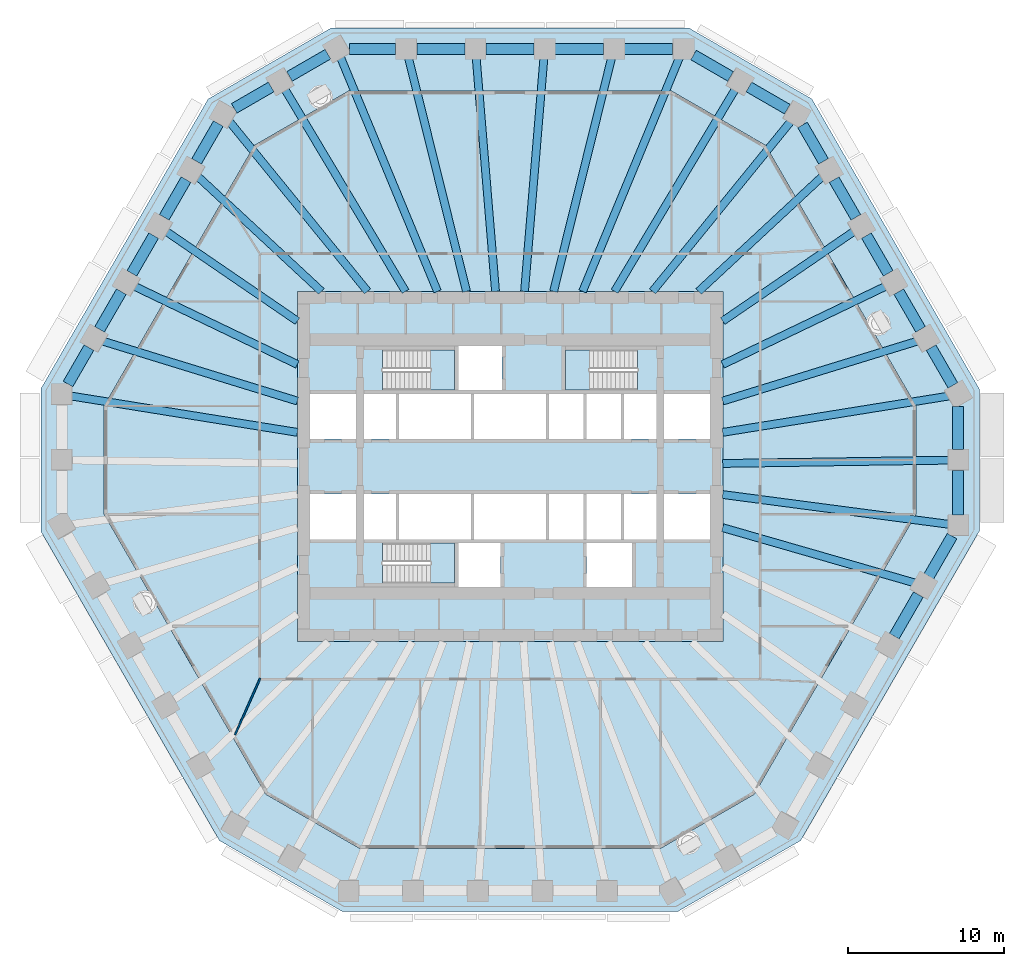
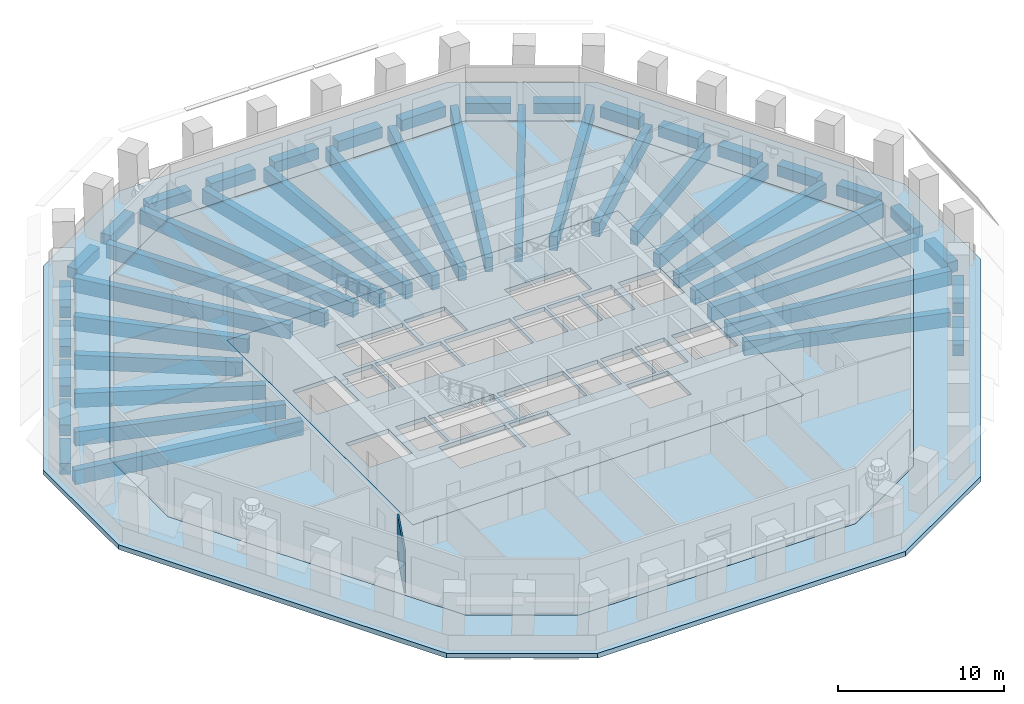
# One storey, part 2 of 13: 46 beams, 6 slabs, 1 wall, 3 elements without a shape of their own.
"""IFC4 building model written with IfcOpenShell, lengths in metres."""

from ifc_helpers import new_model, si_unit, direction, frame, frame_2d, origin, origin_2d, place, context, subcontext, project, spatial, polyline, rectangle, outline, extrude, material, layer, layer_set, material_profile, profile_set, type_object, element, aggregate, save


model = new_model("IFC4")

# Units and contexts
model_context = context("Model", 3, precision=1e-05, world=origin(), true_north=direction((0.0, 1.0)))
body_context = subcontext(model_context, "Body", "Model", "MODEL_VIEW")
ifc_project = project(units=[si_unit("LENGTHUNIT", "METRE"), si_unit("AREAUNIT", "SQUARE_METRE"), si_unit("VOLUMEUNIT", "CUBIC_METRE"), si_unit("PLANEANGLEUNIT", "RADIAN"), si_unit("MASSUNIT", "GRAM", prefix="KILO")], contexts=[model_context])

# Site, building, storey
site_placement = place(None, origin())
site = spatial("IfcSite", under=ifc_project, at=site_placement, CompositionType="ELEMENT")
building_placement = place(site_placement, origin())
building = spatial("IfcBuilding", under=site, at=building_placement, Name="Frailejon Research Tower", CompositionType="ELEMENT")
storey_placement = place(building_placement, frame((0.0, 0.0, 94.0)))
storey = spatial("IfcBuildingStorey", under=building, at=storey_placement, Name="L20", CompositionType="ELEMENT", Elevation=94.0)

# Beams
ifc_material_1 = material(Name="Concrete C60/75", Category="concrete")
ifc_material_profile_1 = material_profile(ifc_material_1, rectangle(XDim=0.5, YDim=1.050048828125, at=origin_2d()), Name="Girder 500x1050")
ifc_profile_set_1 = profile_set([ifc_material_profile_1], Name="Concrete C60/75")
beam_type_1 = type_object("IfcBeamType", Name="Girder 500x1050", PredefinedType="BEAM", material=ifc_profile_set_1)
beam_1_placement = place(storey_placement, frame((28.1259765625, -3.703369140625, -0.824951171875), z_axis=(-0.991442834878, 0.130541584061, 0.0), x_axis=(-0.130541584061, -0.991442834878, 0.0)))
element("IfcBeam", 1, at=beam_1_placement, inside=storey, type_object=beam_type_1, Name="Girder 500x1050", PredefinedType="BEAM", context=body_context, shape_type="SweptSolid", body=[
    extrude(rectangle(XDim=0.5, YDim=1.050048828125, at=origin_2d()), origin(), (0.0, 0.0, 1.0), 14.6513671875),
])
beam_2_placement = place(storey_placement, frame((28.127197265625, 0.4072265625, -0.824951171875), z_axis=(-0.999895328032, -0.014468344074, 0.0), x_axis=(0.014468344074, -0.999895328032, 0.0)))
element("IfcBeam", 2, at=beam_2_placement, inside=storey, type_object=beam_type_1, Name="Girder 500x1050", PredefinedType="BEAM", context=body_context, shape_type="SweptSolid", body=[
    extrude(rectangle(XDim=0.5, YDim=1.050048828125, at=origin_2d()), origin(), (0.0, 0.0, 1.0), 14.528564453125),
])
beam_3_placement = place(storey_placement, frame((28.087158203125, 4.51171875, -0.824951171875), z_axis=(-0.987342424858, -0.158603077129, 0.0), x_axis=(0.158603077129, -0.987342424858, 0.0)))
element("IfcBeam", 3, at=beam_3_placement, inside=storey, type_object=beam_type_1, Name="Girder 500x1050", PredefinedType="BEAM", context=body_context, shape_type="SweptSolid", body=[
    extrude(rectangle(XDim=0.5, YDim=1.050048828125, at=origin_2d()), origin(), (0.0, 0.0, 1.0), 14.6728515625),
])
beam_4_placement = place(storey_placement, frame((26.06591796875, 8.02490234375, -0.824951171875), z_axis=(-0.955730430609, -0.294243681339, 0.0), x_axis=(0.294243681339, -0.955730430609, 0.0)))
element("IfcBeam", 4, at=beam_4_placement, inside=storey, type_object=beam_type_1, Name="Girder 500x1050", PredefinedType="BEAM", context=body_context, shape_type="SweptSolid", body=[
    extrude(rectangle(XDim=0.5, YDim=1.050048828125, at=origin_2d()), origin(), (0.0, 0.0, 1.0), 13.043212890625),
])
beam_5_placement = place(storey_placement, frame((24.041015625, 11.538330078125, -0.824951171875), z_axis=(-0.901536873223, -0.432702283585, 0.0), x_axis=(0.432702283585, -0.901536873223, 0.0)))
element("IfcBeam", 5, at=beam_5_placement, inside=storey, type_object=beam_type_1, Name="Girder 500x1050", PredefinedType="BEAM", context=body_context, shape_type="SweptSolid", body=[
    extrude(rectangle(XDim=0.5, YDim=1.050048828125, at=origin_2d()), origin(), (0.0, 0.0, 1.0), 11.581298828125),
])
beam_6_placement = place(storey_placement, frame((22.01318359375, 15.051025390625, -0.824951171875), z_axis=(-0.825484667298, -0.564424542393, 0.0), x_axis=(0.564424542393, -0.825484667298, 0.0)))
element("IfcBeam", 6, at=beam_6_placement, inside=storey, type_object=beam_type_1, Name="Girder 500x1050", PredefinedType="BEAM", context=body_context, shape_type="SweptSolid", body=[
    extrude(rectangle(XDim=0.5, YDim=1.050048828125, at=origin_2d()), origin(), (0.0, 0.0, 1.0), 10.191650390625),
])
beam_7_placement = place(storey_placement, frame((19.982666015625, 18.561279296875, -0.824951171875), z_axis=(-0.732684954847, -0.680567966438, 0.0), x_axis=(0.680567966438, -0.732684954847, 0.0)))
element("IfcBeam", 7, at=beam_7_placement, inside=storey, type_object=beam_type_1, Name="Girder 500x1050", PredefinedType="BEAM", context=body_context, shape_type="SweptSolid", body=[
    extrude(rectangle(XDim=0.5, YDim=1.050048828125, at=origin_2d()), origin(), (0.0, 0.0, 1.0), 10.81640625),
])
beam_8_placement = place(storey_placement, frame((17.97509765625, 22.098388671875, -0.824951171875), z_axis=(-0.631021710169, -0.775765171489, 0.0), x_axis=(0.775765171489, -0.631021710169, 0.0)))
element("IfcBeam", 8, at=beam_8_placement, inside=storey, type_object=beam_type_1, Name="Girder 500x1050", PredefinedType="BEAM", context=body_context, shape_type="SweptSolid", body=[
    extrude(rectangle(XDim=0.5, YDim=1.050048828125, at=origin_2d()), origin(), (0.0, 0.0, 1.0), 14.048583984375),
])
beam_9_placement = place(storey_placement, frame((14.416259765625, 24.1552734375, -0.824951171875), z_axis=(-0.512483491063, -0.85869707778, 0.0), x_axis=(0.85869707778, -0.512483491063, 0.0)))
element("IfcBeam", 9, at=beam_9_placement, inside=storey, type_object=beam_type_1, Name="Girder 500x1050", PredefinedType="BEAM", context=body_context, shape_type="SweptSolid", body=[
    extrude(rectangle(XDim=0.5, YDim=1.050048828125, at=origin_2d()), origin(), (0.0, 0.0, 1.0), 15.087158203125),
])
beam_10_placement = place(storey_placement, frame((10.836669921875, 26.16357421875, -0.824951171875), z_axis=(-0.382663316459, -0.923887864536, 0.0), x_axis=(0.923887864536, -0.382663316459, 0.0)))
element("IfcBeam", 10, at=beam_10_placement, inside=storey, type_object=beam_type_1, Name="Girder 500x1050", PredefinedType="BEAM", context=body_context, shape_type="SweptSolid", body=[
    extrude(rectangle(XDim=0.5, YDim=1.050048828125, at=origin_2d()), origin(), (0.0, 0.0, 1.0), 16.1962890625),
])
beam_11_placement = place(storey_placement, frame((6.503662109375, 26.170654296875, -0.824951171875), z_axis=(-0.241179895895, -0.970480426292, 0.0), x_axis=(0.970480426292, -0.241179895895, 0.0)))
element("IfcBeam", 11, at=beam_11_placement, inside=storey, type_object=beam_type_1, Name="Girder 500x1050", PredefinedType="BEAM", context=body_context, shape_type="SweptSolid", body=[
    extrude(rectangle(XDim=0.5, YDim=1.050048828125, at=origin_2d()), origin(), (0.0, 0.0, 1.0), 15.426025390625),
])
for number, where, z_axis, x_axis, name in (
    (12, (2.168212890625, 26.174560546875, -0.824951171875), (-0.082556013287, -0.996586426092, 0.0), (0.996586426092, -0.082556013287, 0.0), "Girder 500x1050"),
    (13, (-2.168212890625, 26.174560546875, -0.824951171875), (0.082556013287, -0.996586426092, 0.0), (0.996586426092, 0.082556013287, 0.0), "Girder 500x1050"),
):
    element("IfcBeam", number, at=place(storey_placement, frame(where, z_axis=z_axis, x_axis=x_axis)), inside=storey, type_object=beam_type_1, Name=name, PredefinedType="BEAM", context=body_context, shape_type="SweptSolid", body=[
        extrude(rectangle(XDim=0.5, YDim=1.050048828125, at=origin_2d()), origin(), (0.0, 0.0, 1.0), 15.02587890625),
    ])
beam_12_placement = place(storey_placement, frame((-6.503662109375, 26.170654296875, -0.824951171875), z_axis=(0.241179895895, -0.970480426292, 0.0), x_axis=(0.970480426292, 0.241179895895, 0.0)))
element("IfcBeam", 14, at=beam_12_placement, inside=storey, type_object=beam_type_1, Name="Girder 500x1050", PredefinedType="BEAM", context=body_context, shape_type="SweptSolid", body=[
    extrude(rectangle(XDim=0.5, YDim=1.050048828125, at=origin_2d()), origin(), (0.0, 0.0, 1.0), 15.426025390625),
])
beam_13_placement = place(storey_placement, frame((-10.855712890625, 26.209716796875, -0.824951171875), z_axis=(0.382659705119, -0.923889360301, 0.0), x_axis=(0.923889360301, 0.382659705119, 0.0)))
element("IfcBeam", 15, at=beam_13_placement, inside=storey, type_object=beam_type_1, Name="Girder 500x1050", PredefinedType="BEAM", context=body_context, shape_type="SweptSolid", body=[
    extrude(rectangle(XDim=0.5, YDim=1.050048828125, at=origin_2d()), origin(), (0.0, 0.0, 1.0), 16.246337890625),
])
beam_14_placement = place(storey_placement, frame((-14.416259765625, 24.1552734375, -0.824951171875), z_axis=(0.512483491063, -0.85869707778, 0.0), x_axis=(0.85869707778, 0.512483491063, 0.0)))
element("IfcBeam", 16, at=beam_14_placement, inside=storey, type_object=beam_type_1, Name="Girder 500x1050", PredefinedType="BEAM", context=body_context, shape_type="SweptSolid", body=[
    extrude(rectangle(XDim=0.5, YDim=1.050048828125, at=origin_2d()), origin(), (0.0, 0.0, 1.0), 15.087158203125),
])
beam_15_placement = place(storey_placement, frame((-17.95068359375, 22.068359375, -0.824951171875), z_axis=(0.631022239469, -0.775764740947, 0.0), x_axis=(0.775764740947, 0.631022239469, 0.0)))
element("IfcBeam", 17, at=beam_15_placement, inside=storey, type_object=beam_type_1, Name="Girder 500x1050", PredefinedType="BEAM", context=body_context, shape_type="SweptSolid", body=[
    extrude(rectangle(XDim=0.5, YDim=1.050048828125, at=origin_2d()), origin(), (0.0, 0.0, 1.0), 14.010009765625),
])
beam_16_placement = place(storey_placement, frame((-19.982666015625, 18.561279296875, -0.824951171875), z_axis=(0.732684954847, -0.680567966438, 0.0), x_axis=(0.680567966438, 0.732684954847, 0.0)))
element("IfcBeam", 18, at=beam_16_placement, inside=storey, type_object=beam_type_1, Name="Girder 500x1050", PredefinedType="BEAM", context=body_context, shape_type="SweptSolid", body=[
    extrude(rectangle(XDim=0.5, YDim=1.050048828125, at=origin_2d()), origin(), (0.0, 0.0, 1.0), 10.81640625),
])
beam_17_placement = place(storey_placement, frame((-22.01318359375, 15.051025390625, -0.824951171875), z_axis=(0.825484667298, -0.564424542393, 0.0), x_axis=(0.564424542393, 0.825484667298, 0.0)))
element("IfcBeam", 19, at=beam_17_placement, inside=storey, type_object=beam_type_1, Name="Girder 500x1050", PredefinedType="BEAM", context=body_context, shape_type="SweptSolid", body=[
    extrude(rectangle(XDim=0.5, YDim=1.050048828125, at=origin_2d()), origin(), (0.0, 0.0, 1.0), 10.191650390625),
])
beam_18_placement = place(storey_placement, frame((-24.041015625, 11.538330078125, -0.824951171875), z_axis=(0.901536873223, -0.432702283585, 0.0), x_axis=(0.432702283585, 0.901536873223, 0.0)))
element("IfcBeam", 20, at=beam_18_placement, inside=storey, type_object=beam_type_1, Name="Girder 500x1050", PredefinedType="BEAM", context=body_context, shape_type="SweptSolid", body=[
    extrude(rectangle(XDim=0.5, YDim=1.050048828125, at=origin_2d()), origin(), (0.0, 0.0, 1.0), 11.581298828125),
])
beam_19_placement = place(storey_placement, frame((-26.06591796875, 8.02490234375, -0.824951171875), z_axis=(0.955730430609, -0.294243681339, 0.0), x_axis=(0.294243681339, 0.955730430609, 0.0)))
element("IfcBeam", 21, at=beam_19_placement, inside=storey, type_object=beam_type_1, Name="Girder 500x1050", PredefinedType="BEAM", context=body_context, shape_type="SweptSolid", body=[
    extrude(rectangle(XDim=0.5, YDim=1.050048828125, at=origin_2d()), origin(), (0.0, 0.0, 1.0), 13.043212890625),
])
beam_20_placement = place(storey_placement, frame((-28.12548828125, 4.517822265625, -0.824951171875), z_axis=(0.987342996326, -0.158599519562, 0.0), x_axis=(0.158599519562, 0.987342996326, 0.0)))
element("IfcBeam", 22, at=beam_20_placement, inside=storey, type_object=beam_type_1, Name="Girder 500x1050", PredefinedType="BEAM", context=body_context, shape_type="SweptSolid", body=[
    extrude(rectangle(XDim=0.5, YDim=1.050048828125, at=origin_2d()), origin(), (0.0, 0.0, 1.0), 14.711669921875),
])
beam_21_placement = place(storey_placement, frame((25.916259765625, -7.452880859375, -0.824951171875), z_axis=(-0.961046598858, 0.276386386826, 0.0), x_axis=(-0.276386386826, -0.961046598858, 0.0)))
element("IfcBeam", 23, at=beam_21_placement, inside=storey, type_object=beam_type_1, Name="Girder 500x1050", PredefinedType="BEAM", context=body_context, shape_type="SweptSolid", body=[
    extrude(rectangle(XDim=0.5, YDim=1.050048828125, at=origin_2d()), origin(), (0.0, 0.0, 1.0), 12.8154296875),
])
ifc_material_2 = material(Name="Concrete C60/75", Category="concrete")
ifc_material_profile_2 = material_profile(ifc_material_2, rectangle(XDim=0.699951171875, YDim=0.800048828125, at=origin_2d()), Name="Spandrel 700x800")
ifc_profile_set_2 = profile_set([ifc_material_profile_2], Name="Concrete C60/75")
beam_type_2 = type_object("IfcBeamType", Name="Spandrel 700x800", PredefinedType="BEAM", material=ifc_profile_set_2)
beam_22_placement = place(storey_placement, frame((28.65234375, -3.09765625, -0.75), z_axis=(0.0, 1.0, 0.0), x_axis=(-1.0, 0.0, 0.0)))
element("IfcBeam", 24, at=beam_22_placement, inside=storey, type_object=beam_type_2, Name="Spandrel 700x800", PredefinedType="BEAM", context=body_context, shape_type="SweptSolid", body=[
    extrude(rectangle(XDim=0.699951171875, YDim=0.800048828125, at=origin_2d()), origin(), (0.0, 0.0, 1.0), 2.83740234375),
])
beam_23_placement = place(storey_placement, frame((28.65234375, 1.08984375, -0.75), z_axis=(0.0, 1.0, 0.0), x_axis=(-1.0, 0.0, 0.0)))
element("IfcBeam", 25, at=beam_23_placement, inside=storey, type_object=beam_type_2, Name="Spandrel 700x800", PredefinedType="BEAM", context=body_context, shape_type="SweptSolid", body=[
    extrude(rectangle(XDim=0.699951171875, YDim=0.800048828125, at=origin_2d()), origin(), (0.0, 0.0, 1.0), 2.733154296875),
])
beam_24_placement = place(storey_placement, frame((28.314697265625, 5.18701171875, -0.75), z_axis=(-0.500003107902, 0.866023609429, 0.0), x_axis=(-0.866023609429, -0.500003107902, 0.0)))
element("IfcBeam", 26, at=beam_24_placement, inside=storey, type_object=beam_type_2, Name="Spandrel 700x800", PredefinedType="BEAM", context=body_context, shape_type="SweptSolid", body=[
    extrude(rectangle(XDim=0.699951171875, YDim=0.800048828125, at=origin_2d()), origin(), (0.0, 0.0, 1.0), 2.7861328125),
])
beam_25_placement = place(storey_placement, frame((26.24658203125, 8.76904296875, -0.75), z_axis=(-0.499937383153, 0.86606155262, 0.0), x_axis=(-0.86606155262, -0.499937383153, 0.0)))
element("IfcBeam", 27, at=beam_25_placement, inside=storey, type_object=beam_type_2, Name="Spandrel 700x800", PredefinedType="BEAM", context=body_context, shape_type="SweptSolid", body=[
    extrude(rectangle(XDim=0.699951171875, YDim=0.800048828125, at=origin_2d()), origin(), (0.0, 0.0, 1.0), 2.785888671875),
])
beam_26_placement = place(storey_placement, frame((24.1787109375, 12.35107421875, -0.75), z_axis=(-0.500003107902, 0.866023609429, 0.0), x_axis=(-0.866023609429, -0.500003107902, 0.0)))
element("IfcBeam", 28, at=beam_26_placement, inside=storey, type_object=beam_type_2, Name="Spandrel 700x800", PredefinedType="BEAM", context=body_context, shape_type="SweptSolid", body=[
    extrude(rectangle(XDim=0.699951171875, YDim=0.800048828125, at=origin_2d()), origin(), (0.0, 0.0, 1.0), 2.7861328125),
])
beam_27_placement = place(storey_placement, frame((22.110595703125, 15.93310546875, -0.75), z_axis=(-0.500041054325, 0.866001699761, 0.0), x_axis=(-0.866001699761, -0.500041054325, 0.0)))
element("IfcBeam", 29, at=beam_27_placement, inside=storey, type_object=beam_type_2, Name="Spandrel 700x800", PredefinedType="BEAM", context=body_context, shape_type="SweptSolid", body=[
    extrude(rectangle(XDim=0.699951171875, YDim=0.800048828125, at=origin_2d()), origin(), (0.0, 0.0, 1.0), 2.785888671875),
])
beam_28_placement = place(storey_placement, frame((20.04248046875, 19.514892578125, -0.75), z_axis=(-0.499977255678, 0.866038534827, 0.0), x_axis=(-0.866038534827, -0.499977255678, 0.0)))
element("IfcBeam", 30, at=beam_28_placement, inside=storey, type_object=beam_type_2, Name="Spandrel 700x800", PredefinedType="BEAM", context=body_context, shape_type="SweptSolid", body=[
    extrude(rectangle(XDim=0.699951171875, YDim=0.800048828125, at=origin_2d()), origin(), (0.0, 0.0, 1.0), 2.681640625),
])
beam_29_placement = place(storey_placement, frame((17.727294921875, 22.849853515625, -0.75), z_axis=(-0.865989280058, 0.500062562911, 0.0), x_axis=(-0.500062562911, -0.865989280058, 0.0)))
element("IfcBeam", 31, at=beam_29_placement, inside=storey, type_object=beam_type_2, Name="Spandrel 700x800", PredefinedType="BEAM", context=body_context, shape_type="SweptSolid", body=[
    extrude(rectangle(XDim=0.699951171875, YDim=0.800048828125, at=origin_2d()), origin(), (0.0, 0.0, 1.0), 2.837646484375),
])
beam_30_placement = place(storey_placement, frame((14.100830078125, 24.943603515625, -0.75), z_axis=(-0.866002615699, 0.500039468044, 0.0), x_axis=(-0.500039468044, -0.866002615699, 0.0)))
element("IfcBeam", 32, at=beam_30_placement, inside=storey, type_object=beam_type_2, Name="Spandrel 700x800", PredefinedType="BEAM", context=body_context, shape_type="SweptSolid", body=[
    extrude(rectangle(XDim=0.699951171875, YDim=0.800048828125, at=origin_2d()), origin(), (0.0, 0.0, 1.0), 2.733154296875),
])
for number, where, z_axis, x_axis, name in (
    (33, (10.3837890625, 26.699951171875, -0.75), (-1.0, 0.0, 0.0), (0.0, -1.0, 0.0), "Spandrel 700x800"),
    (34, (5.960205078125, 26.699951171875, -0.75), (-1.0, 0.0, 0.0), (0.0, -1.0, 0.0), "Spandrel 700x800"),
):
    element("IfcBeam", number, at=place(storey_placement, frame(where, z_axis=z_axis, x_axis=x_axis)), inside=storey, type_object=beam_type_2, Name=name, PredefinedType="BEAM", context=body_context, shape_type="SweptSolid", body=[
        extrude(rectangle(XDim=0.699951171875, YDim=0.800048828125, at=origin_2d()), origin(), (0.0, 0.0, 1.0), 3.073486328125),
    ])
beam_31_placement = place(storey_placement, frame((1.536865234375, 26.699951171875, -0.75), z_axis=(-1.0, 0.0, 0.0), x_axis=(0.0, -1.0, 0.0)))
element("IfcBeam", 35, at=beam_31_placement, inside=storey, type_object=beam_type_2, Name="Spandrel 700x800", PredefinedType="BEAM", context=body_context, shape_type="SweptSolid", body=[
    extrude(rectangle(XDim=0.699951171875, YDim=0.800048828125, at=origin_2d()), origin(), (0.0, 0.0, 1.0), 3.07373046875),
])
beam_32_placement = place(storey_placement, frame((-2.88671875, 26.699951171875, -0.75), z_axis=(-1.0, 0.0, 0.0), x_axis=(0.0, -1.0, 0.0)))
element("IfcBeam", 36, at=beam_32_placement, inside=storey, type_object=beam_type_2, Name="Spandrel 700x800", PredefinedType="BEAM", context=body_context, shape_type="SweptSolid", body=[
    extrude(rectangle(XDim=0.699951171875, YDim=0.800048828125, at=origin_2d()), origin(), (0.0, 0.0, 1.0), 3.073486328125),
])
beam_33_placement = place(storey_placement, frame((-7.310302734375, 26.699951171875, -0.75), z_axis=(-1.0, 0.0, 0.0), x_axis=(0.0, -1.0, 0.0)))
element("IfcBeam", 37, at=beam_33_placement, inside=storey, type_object=beam_type_2, Name="Spandrel 700x800", PredefinedType="BEAM", context=body_context, shape_type="SweptSolid", body=[
    extrude(rectangle(XDim=0.699951171875, YDim=0.800048828125, at=origin_2d()), origin(), (0.0, 0.0, 1.0), 2.96923828125),
])
beam_34_placement = place(storey_placement, frame((-11.6435546875, 26.362548828125, -0.75), z_axis=(-0.865989280058, -0.500062562911, 0.0), x_axis=(0.500062562911, -0.865989280058, 0.0)))
element("IfcBeam", 38, at=beam_34_placement, inside=storey, type_object=beam_type_2, Name="Spandrel 700x800", PredefinedType="BEAM", context=body_context, shape_type="SweptSolid", body=[
    extrude(rectangle(XDim=0.699951171875, YDim=0.800048828125, at=origin_2d()), origin(), (0.0, 0.0, 1.0), 2.837646484375),
])
beam_35_placement = place(storey_placement, frame((-15.27001953125, 24.268798828125, -0.75), z_axis=(-0.866002615699, -0.500039468044, 0.0), x_axis=(0.500039468044, -0.866002615699, 0.0)))
element("IfcBeam", 39, at=beam_35_placement, inside=storey, type_object=beam_type_2, Name="Spandrel 700x800", PredefinedType="BEAM", context=body_context, shape_type="SweptSolid", body=[
    extrude(rectangle(XDim=0.699951171875, YDim=0.800048828125, at=origin_2d()), origin(), (0.0, 0.0, 1.0), 2.733154296875),
])
beam_36_placement = place(storey_placement, frame((-18.6494140625, 21.927734375, -0.75), z_axis=(-0.500003107902, -0.866023609429, 0.0), x_axis=(0.866023609429, -0.500003107902, 0.0)))
element("IfcBeam", 40, at=beam_36_placement, inside=storey, type_object=beam_type_2, Name="Spandrel 700x800", PredefinedType="BEAM", context=body_context, shape_type="SweptSolid", body=[
    extrude(rectangle(XDim=0.699951171875, YDim=0.800048828125, at=origin_2d()), origin(), (0.0, 0.0, 1.0), 2.7861328125),
])
beam_37_placement = place(storey_placement, frame((-20.717529296875, 18.345703125, -0.75), z_axis=(-0.500041054325, -0.866001699761, 0.0), x_axis=(0.866001699761, -0.500041054325, 0.0)))
element("IfcBeam", 41, at=beam_37_placement, inside=storey, type_object=beam_type_2, Name="Spandrel 700x800", PredefinedType="BEAM", context=body_context, shape_type="SweptSolid", body=[
    extrude(rectangle(XDim=0.699951171875, YDim=0.800048828125, at=origin_2d()), origin(), (0.0, 0.0, 1.0), 2.785888671875),
])
beam_38_placement = place(storey_placement, frame((-22.78564453125, 14.763916015625, -0.75), z_axis=(-0.500003107902, -0.866023609429, 0.0), x_axis=(0.866023609429, -0.500003107902, 0.0)))
element("IfcBeam", 42, at=beam_38_placement, inside=storey, type_object=beam_type_2, Name="Spandrel 700x800", PredefinedType="BEAM", context=body_context, shape_type="SweptSolid", body=[
    extrude(rectangle(XDim=0.699951171875, YDim=0.800048828125, at=origin_2d()), origin(), (0.0, 0.0, 1.0), 2.7861328125),
])
beam_39_placement = place(storey_placement, frame((-24.853759765625, 11.181884765625, -0.75), z_axis=(-0.499937383153, -0.86606155262, 0.0), x_axis=(0.86606155262, -0.499937383153, 0.0)))
element("IfcBeam", 43, at=beam_39_placement, inside=storey, type_object=beam_type_2, Name="Spandrel 700x800", PredefinedType="BEAM", context=body_context, shape_type="SweptSolid", body=[
    extrude(rectangle(XDim=0.699951171875, YDim=0.800048828125, at=origin_2d()), origin(), (0.0, 0.0, 1.0), 2.785888671875),
])
beam_40_placement = place(storey_placement, frame((-26.921630859375, 7.599853515625, -0.75), z_axis=(-0.500045531117, -0.865999114786, 0.0), x_axis=(0.865999114786, -0.500045531117, 0.0)))
element("IfcBeam", 44, at=beam_40_placement, inside=storey, type_object=beam_type_2, Name="Spandrel 700x800", PredefinedType="BEAM", context=body_context, shape_type="SweptSolid", body=[
    extrude(rectangle(XDim=0.699951171875, YDim=0.800048828125, at=origin_2d()), origin(), (0.0, 0.0, 1.0), 2.681884765625),
])
beam_41_placement = place(storey_placement, frame((24.56640625, -10.849853515625, -0.75), z_axis=(0.499983756713, 0.866034781647, 0.0), x_axis=(-0.866034781647, 0.499983756713, 0.0)))
element("IfcBeam", 45, at=beam_41_placement, inside=storey, type_object=beam_type_2, Name="Spandrel 700x800", PredefinedType="BEAM", context=body_context, shape_type="SweptSolid", body=[
    extrude(rectangle(XDim=0.699951171875, YDim=0.800048828125, at=origin_2d()), origin(), (0.0, 0.0, 1.0), 3.0732421875),
])
beam_42_placement = place(storey_placement, frame((26.778076171875, -7.01904296875, -0.75), z_axis=(0.500021397217, 0.866013049743, 0.0), x_axis=(-0.866013049743, 0.500021397217, 0.0)))
element("IfcBeam", 46, at=beam_42_placement, inside=storey, type_object=beam_type_2, Name="Spandrel 700x800", PredefinedType="BEAM", context=body_context, shape_type="SweptSolid", body=[
    extrude(rectangle(XDim=0.699951171875, YDim=0.800048828125, at=origin_2d()), origin(), (0.0, 0.0, 1.0), 2.968994140625),
])

# Slabs
ifc_material_3 = material(Name="Concrete C70/85", Category="concrete")
ifc_layer_1 = layer(ifc_material_3, 0.300048828125)
ifc_layer_set_1 = layer_set([ifc_layer_1], Name="Core floor slab 300 C70/85")
slab_type_1 = type_object("IfcSlabType", Name="Core floor slab 300 C70/85", PredefinedType="FLOOR", material=ifc_layer_set_1)
slab_1_placement = place(storey_placement, frame((0.0, 0.0, -0.300048828125)))
element("IfcSlab", 47, at=slab_1_placement, inside=storey, type_object=slab_type_1, Name="Core floor slab", PredefinedType="FLOOR", context=body_context, shape_type="SweptSolid", body=[
    extrude(outline(polyline([(13.60009765625, -11.199951171875), (13.60009765625, 11.199951171875), (-13.60009765625, 11.199951171875), (-13.60009765625, -11.199951171875), (13.60009765625, -11.199951171875)]), holes=[polyline([(-9.85009765625, 1.75), (-9.85009765625, 4.64990234375), (-12.800048828125, 4.64990234375), (-12.800048828125, 1.75), (-9.85009765625, 1.75)]), polyline([(-7.300048828125, 1.75), (-7.300048828125, 4.64990234375), (-9.35009765625, 4.64990234375), (-9.35009765625, 1.75), (-7.300048828125, 1.75)]), polyline([(-2.5, 1.75), (-2.5, 4.64990234375), (-7.10009765625, 4.64990234375), (-7.10009765625, 1.75), (-2.5, 1.75)]), polyline([(2.300048828125, 1.75), (2.300048828125, 4.64990234375), (-2.300048828125, 4.64990234375), (-2.300048828125, 1.75), (2.300048828125, 1.75)]), polyline([(4.699951171875, 1.75), (4.699951171875, 4.64990234375), (2.5, 4.64990234375), (2.5, 1.75), (4.699951171875, 1.75)]), polyline([(7.10009765625, 1.75), (7.10009765625, 4.64990234375), (4.89990234375, 4.64990234375), (4.89990234375, 1.75), (7.10009765625, 1.75)]), polyline([(9.35009765625, 1.75), (9.35009765625, 4.64990234375), (7.300048828125, 4.64990234375), (7.300048828125, 1.75), (9.35009765625, 1.75)]), polyline([(12.800048828125, 1.75), (12.800048828125, 4.64990234375), (9.85009765625, 4.64990234375), (9.85009765625, 1.75), (12.800048828125, 1.75)]), polyline([(-9.85009765625, -4.64990234375), (-9.85009765625, -1.75), (-12.800048828125, -1.75), (-12.800048828125, -4.64990234375), (-9.85009765625, -4.64990234375)]), polyline([(-7.300048828125, -4.64990234375), (-7.300048828125, -1.75), (-9.35009765625, -1.75), (-9.35009765625, -4.64990234375), (-7.300048828125, -4.64990234375)]), polyline([(-2.5, -4.64990234375), (-2.5, -1.75), (-7.10009765625, -1.75), (-7.10009765625, -4.64990234375), (-2.5, -4.64990234375)]), polyline([(2.300048828125, -4.64990234375), (2.300048828125, -1.75), (-2.300048828125, -1.75), (-2.300048828125, -4.64990234375), (2.300048828125, -4.64990234375)]), polyline([(4.699951171875, -4.64990234375), (4.699951171875, -1.75), (2.5, -1.75), (2.5, -4.64990234375), (4.699951171875, -4.64990234375)]), polyline([(7.10009765625, -4.64990234375), (7.10009765625, -1.75), (4.89990234375, -1.75), (4.89990234375, -4.64990234375), (7.10009765625, -4.64990234375)]), polyline([(9.35009765625, -4.64990234375), (9.35009765625, -1.75), (7.300048828125, -1.75), (7.300048828125, -4.64990234375), (9.35009765625, -4.64990234375)]), polyline([(12.800048828125, -4.64990234375), (12.800048828125, -1.75), (9.85009765625, -1.75), (9.85009765625, -4.64990234375), (12.800048828125, -4.64990234375)]), polyline([(-8.14697265625, 4.89990234375), (-3.550048828125, 4.89990234375), (-3.550048828125, 7.449951171875), (-8.14697265625, 7.449951171875), (-8.14697265625, 4.89990234375)]), polyline([(-8.14697265625, -7.449951171875), (-3.550048828125, -7.449951171875), (-3.550048828125, -4.89990234375), (-8.14697265625, -4.89990234375), (-8.14697265625, -7.449951171875)]), polyline([(8.14697265625, 7.449951171875), (3.550048828125, 7.449951171875), (3.550048828125, 4.89990234375), (8.14697265625, 4.89990234375), (8.14697265625, 7.449951171875)]), polyline([(-0.60009765625, -7.699951171875), (-0.60009765625, -4.89990234375), (-3.300048828125, -4.89990234375), (-3.300048828125, -7.699951171875), (-0.60009765625, -7.699951171875)]), polyline([(7.800048828125, -7.699951171875), (7.800048828125, -4.89990234375), (4.89990234375, -4.89990234375), (4.89990234375, -7.699951171875), (7.800048828125, -7.699951171875)]), polyline([(-0.5, 4.89990234375), (-0.5, 7.699951171875), (-3.300048828125, 7.699951171875), (-3.300048828125, 4.89990234375), (-0.5, 4.89990234375)])]), origin(), (0.0, 0.0, 1.0), 0.300048828125),
])
ifc_material_4 = material(Name="Concrete C40/50", Category="concrete")
ifc_layer_2 = layer(ifc_material_4, 0.35009765625)
ifc_layer_set_2 = layer_set([ifc_layer_2], Name="Loggia slab 350")
slab_type_2 = type_object("IfcSlabType", Name="Loggia slab 350", PredefinedType="USERDEFINED", material=ifc_layer_set_2)
slab_2_placement = place(storey_placement, frame((0.0, 0.0, -0.35009765625)))
element("IfcSlab", 48, at=slab_2_placement, inside=storey, type_object=slab_type_2, Name="Loggia slab L20", ObjectType="LOGGIA", PredefinedType="USERDEFINED", context=body_context, shape_type="SweptSolid", body=[
    extrude(outline(polyline([(18.581787109375, -23.91552734375), (10.7021484375, -28.46484375), (-10.7021484375, -28.46484375), (-18.581787109375, -23.91552734375), (-30.002197265625, -4.134521484375), (-30.002197265625, 4.964111328125), (-19.30029296875, 23.500732421875), (-11.420654296875, 28.050048828125), (11.420654296875, 28.050048828125), (19.30029296875, 23.500732421875), (30.002197265625, 4.964111328125), (30.002197265625, -4.134521484375), (18.581787109375, -23.91552734375)]), holes=[polyline([(25.952392578125, 3.87890625), (16.33544921875, 20.535888671875), (10.33544921875, 24.0), (-10.33544921875, 24.0), (-16.33544921875, 20.535888671875), (-25.952392578125, 3.87890625), (-25.952392578125, -3.04931640625), (-15.616943359375, -20.95068359375), (-9.616943359375, -24.414794921875), (9.616943359375, -24.414794921875), (15.616943359375, -20.95068359375), (25.952392578125, -3.04931640625), (25.952392578125, 3.87890625)])]), origin(), (0.0, 0.0, 1.0), 0.35009765625),
])
ifc_material_5 = material(Name="Concrete C40/50", Category="concrete")
ifc_layer_3 = layer(ifc_material_5, 0.300048828125)
ifc_layer_set_3 = layer_set([ifc_layer_3], Name="Slab typical 300")
slab_type_3 = type_object("IfcSlabType", Name="Slab typical 300", PredefinedType="FLOOR", material=ifc_layer_set_3)
slab_3_placement = place(storey_placement, frame((0.0, 0.0, -0.300048828125)))
element("IfcSlab", 49, at=slab_3_placement, inside=storey, type_object=slab_type_3, Name="Floor slab L20", PredefinedType="FLOOR", context=body_context, shape_type="SweptSolid", body=[
    extrude(outline(polyline([(25.952392578125, -3.04931640625), (25.952392578125, 3.87890625), (16.33544921875, 20.535888671875), (10.33544921875, 24.0), (-10.33544921875, 24.0), (-16.33544921875, 20.535888671875), (-25.952392578125, 3.87890625), (-25.952392578125, -3.04931640625), (-15.616943359375, -20.95068359375), (-9.616943359375, -24.414794921875), (9.616943359375, -24.414794921875), (15.616943359375, -20.95068359375), (25.952392578125, -3.04931640625)]), holes=[polyline([(13.60009765625, -11.199951171875), (-13.60009765625, -11.199951171875), (-13.60009765625, 11.199951171875), (13.60009765625, 11.199951171875), (13.60009765625, -11.199951171875)])]), origin(), (0.0, 0.0, 1.0), 0.300048828125),
])

# Stair, slab
ifc_material_6 = material(Name="Concrete C50/60", Category="concrete")
stair_type = type_object("IfcStairType", Name="Exit stair 24 risers", PredefinedType="HALF_TURN_STAIR", material=ifc_material_6)
stair_1_placement = place(storey_placement, origin())
stair_1 = element("IfcStair", 50, at=stair_1_placement, inside=storey, type_object=stair_type, Name="L20 Exit stair ST1", PredefinedType="HALF_TURN_STAIR")
ifc_material_7 = material(Name="Concrete C50/60", Category="concrete")
ifc_layer_4 = layer(ifc_material_7, 0.199951171875)
ifc_layer_set_4 = layer_set([ifc_layer_4], Name="Stair landing slab 200")
slab_type_4 = type_object("IfcSlabType", Name="Stair landing slab 200", PredefinedType="LANDING", material=ifc_layer_set_4)
slab_4_placement = place(storey_placement, frame((0.0, 0.0, 2.0)))
slab_4 = element("IfcSlab", 51, at=slab_4_placement, type_object=slab_type_4, Name="ST1 landing 1", PredefinedType="LANDING", context=body_context, shape_type="SweptSolid", body=[
    extrude(outline(polyline([(-5.070068359375, 4.89990234375), (-3.550048828125, 4.89990234375), (-3.550048828125, 7.449951171875), (-5.070068359375, 7.449951171875), (-5.070068359375, 4.89990234375)])), origin(), (0.0, 0.0, 1.0), 0.199951171875),
])
aggregate(stair_1, [slab_4])

stair_2_placement = place(storey_placement, origin())
stair_2 = element("IfcStair", 52, at=stair_2_placement, inside=storey, type_object=stair_type, Name="L20 Exit stair ST2", PredefinedType="HALF_TURN_STAIR")
slab_5_placement = place(storey_placement, frame((0.0, 0.0, 2.0)))
slab_5 = element("IfcSlab", 53, at=slab_5_placement, type_object=slab_type_4, Name="ST2 landing 1", PredefinedType="LANDING", context=body_context, shape_type="SweptSolid", body=[
    extrude(outline(polyline([(-5.070068359375, -7.449951171875), (-3.550048828125, -7.449951171875), (-3.550048828125, -4.89990234375), (-5.070068359375, -4.89990234375), (-5.070068359375, -7.449951171875)])), origin(), (0.0, 0.0, 1.0), 0.199951171875),
])
aggregate(stair_2, [slab_5])

stair_3_placement = place(storey_placement, origin())
stair_3 = element("IfcStair", 54, at=stair_3_placement, inside=storey, type_object=stair_type, Name="L20 Exit stair ST3", PredefinedType="HALF_TURN_STAIR")
slab_6_placement = place(storey_placement, frame((0.0, 0.0, 2.0)))
slab_6 = element("IfcSlab", 55, at=slab_6_placement, type_object=slab_type_4, Name="ST3 landing 1", PredefinedType="LANDING", context=body_context, shape_type="SweptSolid", body=[
    extrude(outline(polyline([(5.070068359375, 7.449951171875), (3.550048828125, 7.449951171875), (3.550048828125, 4.89990234375), (5.070068359375, 4.89990234375), (5.070068359375, 7.449951171875)])), origin(), (0.0, 0.0, 1.0), 0.199951171875),
])
aggregate(stair_3, [slab_6])

# Wall
ifc_material_8 = material(Name="Gypsum board and masonry partition", Category="masonry")
ifc_layer_5 = layer(ifc_material_8, 0.10009765625)
ifc_layer_set_5 = layer_set([ifc_layer_5], Name="Partition, gypsum on steel studs 100")
wall_type = type_object("IfcWallType", Name="Partition, gypsum on steel studs 100", PredefinedType="PARTITIONING", material=ifc_layer_set_5)
wall_placement = place(storey_placement, frame((-17.583251953125, -17.14501953125, 0.0), z_axis=(0.0, 0.0, 1.0), x_axis=(0.40777484111, 0.913082514868, 0.0)))
element("IfcWall", 56, at=wall_placement, inside=storey, type_object=wall_type, Name="T:IW:L20:020", PredefinedType="PARTITIONING", context=body_context, shape_type="SweptSolid", body=[
    extrude(rectangle(XDim=3.95751953125, YDim=0.10009765625, at=frame_2d((1.978759765625, 0.0))), origin(), (0.0, 0.0, 1.0), 3.050048828125),
])

save(model, "model.ifc")
